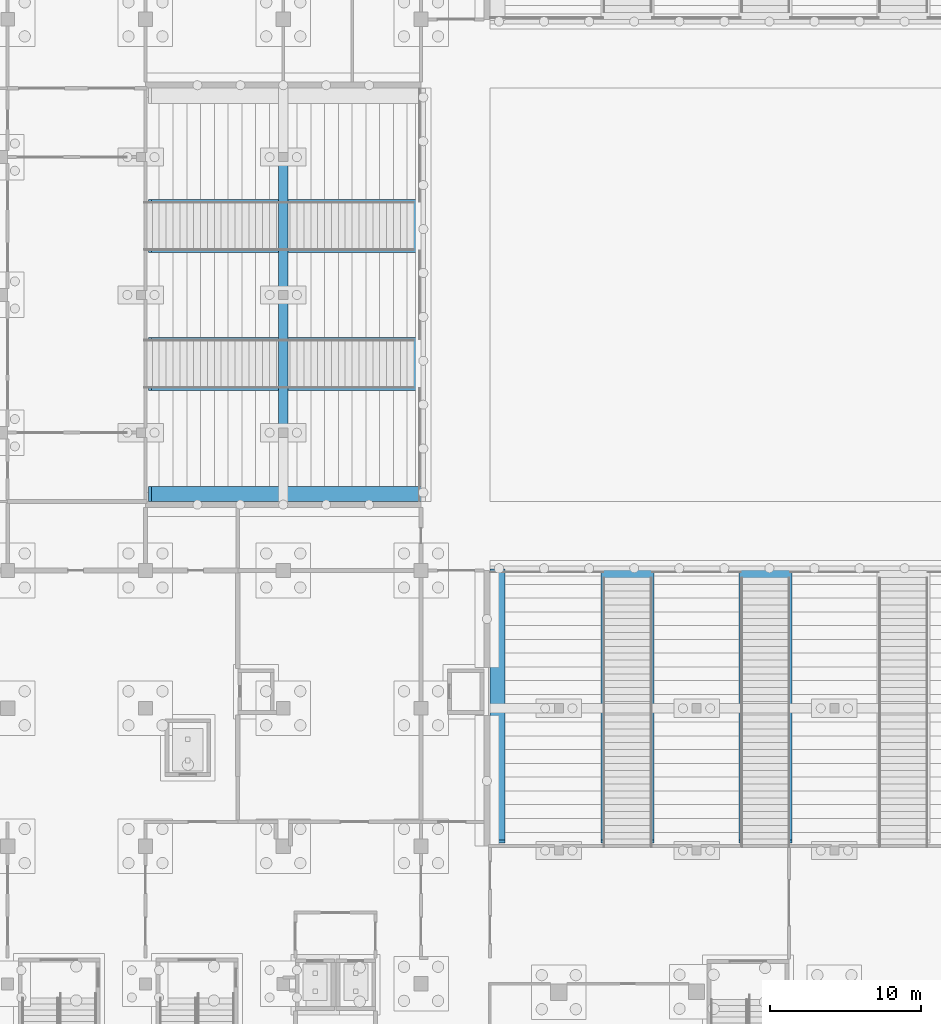
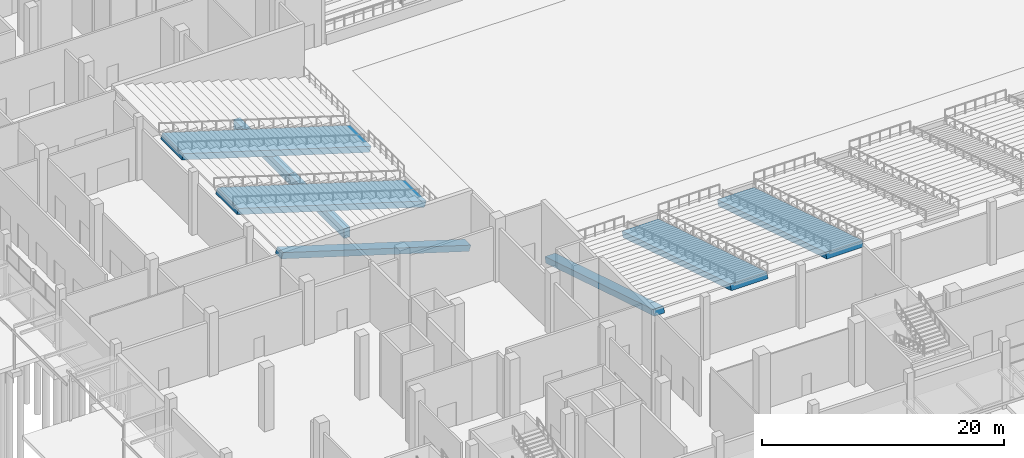
# One storey, part 50 of 129: 8 beams.
"""IFC4 building model written with IfcOpenShell, lengths in metres."""

from ifc_helpers import new_model, si_unit, direction, frame, origin, origin_2d, place, context, subcontext, project, spatial, rectangle, extrude, material, material_profile, profile_set, type_object, element, save


model = new_model("IFC4")

# Units and contexts
model_context = context("Model", 3, precision=1e-05, world=origin(), true_north=direction((0.0, 1.0)))
body_context = subcontext(model_context, "Body", "Model", "MODEL_VIEW")
ifc_project = project(units=[si_unit("LENGTHUNIT", "METRE"), si_unit("AREAUNIT", "SQUARE_METRE"), si_unit("VOLUMEUNIT", "CUBIC_METRE"), si_unit("PLANEANGLEUNIT", "RADIAN"), si_unit("MASSUNIT", "GRAM", prefix="KILO")], contexts=[model_context])

# Site, building, storey
site_placement = place(None, origin())
site = spatial("IfcSite", under=ifc_project, at=site_placement, CompositionType="ELEMENT")
building_placement = place(site_placement, origin())
building = spatial("IfcBuilding", under=site, at=building_placement, Name="Shirokan Park Arena", CompositionType="ELEMENT")
storey_placement = place(building_placement, origin())
storey = spatial("IfcBuildingStorey", under=building, at=storey_placement, Name="L00", CompositionType="ELEMENT", Elevation=0.0)

# Beams
ifc_material = material(Name="Concrete C35", Category="concrete")
ifc_material_profile_1 = material_profile(ifc_material, rectangle(XDim=1.0, YDim=0.60009765625, at=origin_2d()), Name="1000x600")
ifc_profile_set_1 = profile_set([ifc_material_profile_1], Name="Concrete C35")
beam_type_1 = type_object("IfcBeamType", Name="RC end raker 1000x600", PredefinedType="USERDEFINED", material=ifc_profile_set_1)
for number, where, z_axis, x_axis, name in (
    (1, (41.449951171875, 36.39990234375, 0.246826171875), (0.0, -0.95577675381, 0.2940931772), (1.0, 0.0, 0.0), "End raker lower S 1"),
    (2, (36.39990234375, 41.449951171875, 0.246826171875), (-0.95577675381, 0.0, 0.2940931772), (0.0, -1.0, 0.0), "End raker lower W 1"),
):
    element("IfcBeam", number, at=place(storey_placement, frame(where, z_axis=z_axis, x_axis=x_axis)), inside=storey, type_object=beam_type_1, Name=name, ObjectType="END RAKER BEAM", PredefinedType="USERDEFINED", context=body_context, shape_type="SweptSolid", body=[
        extrude(rectangle(XDim=1.0, YDim=0.60009765625, at=origin_2d()), origin(), (0.0, 0.0, 1.0), 18.72802734375),
    ])
ifc_material_profile_2 = material_profile(ifc_material, rectangle(XDim=3.5, YDim=0.60009765625, at=origin_2d()), Name="3500x600")
ifc_profile_set_2 = profile_set([ifc_material_profile_2], Name="Concrete C35")
beam_type_2 = type_object("IfcBeamType", Name="RC raker 3500x600", PredefinedType="USERDEFINED", material=ifc_profile_set_2)
for number, where, z_axis, x_axis, name in (
    (3, (50.050048828125, 36.39990234375, 0.246826171875), (0.0, -0.95577675381, 0.2940931772), (1.0, 0.0, 0.0), "Raker lower S 1"),
    (4, (59.14990234375, 36.39990234375, 0.246826171875), (0.0, -0.95577675381, 0.2940931772), (1.0, 0.0, 0.0), "Raker lower S 2"),
    (5, (36.39990234375, 50.050048828125, 0.246826171875), (-0.95577675381, 0.0, 0.2940931772), (0.0, -1.0, 0.0), "Raker lower W 1"),
    (6, (36.39990234375, 59.14990234375, 0.246826171875), (-0.95577675381, 0.0, 0.2940931772), (0.0, -1.0, 0.0), "Raker lower W 2"),
):
    element("IfcBeam", number, at=place(storey_placement, frame(where, z_axis=z_axis, x_axis=x_axis)), inside=storey, type_object=beam_type_2, Name=name, ObjectType="RAKER BEAM", PredefinedType="USERDEFINED", context=body_context, shape_type="SweptSolid", body=[
        extrude(rectangle(XDim=3.5, YDim=0.60009765625, at=origin_2d()), origin(), (0.0, 0.0, 1.0), 18.72802734375),
    ])
ifc_material_profile_3 = material_profile(ifc_material, rectangle(XDim=0.60009765625, YDim=1.0, at=origin_2d()), Name="600x1000")
ifc_profile_set_3 = profile_set([ifc_material_profile_3], Name="Concrete C35")
beam_type_3 = type_object("IfcBeamType", Name="RC stand girder 600x1000", PredefinedType="BEAM", material=ifc_profile_set_3)
beam_1_placement = place(storey_placement, frame((27.300048828125, 45.5, 2.23291015625), z_axis=(0.0, 1.0, 0.0), x_axis=(-1.0, 0.0, 0.0)))
element("IfcBeam", 7, at=beam_1_placement, inside=storey, type_object=beam_type_3, Name="Stand girder W R2 2", PredefinedType="BEAM", context=body_context, shape_type="SweptSolid", body=[
    extrude(rectangle(XDim=0.60009765625, YDim=1.0, at=origin_2d()), origin(), (0.0, 0.0, 1.0), 9.10009765625),
])
beam_2_placement = place(storey_placement, frame((27.300048828125, 54.60009765625, 2.23291015625), z_axis=(0.0, 1.0, 0.0), x_axis=(-1.0, 0.0, 0.0)))
element("IfcBeam", 8, at=beam_2_placement, inside=storey, type_object=beam_type_3, Name="Stand girder W R2 3", PredefinedType="BEAM", context=body_context, shape_type="SweptSolid", body=[
    extrude(rectangle(XDim=0.60009765625, YDim=1.0, at=origin_2d()), origin(), (0.0, 0.0, 1.0), 9.099853515625),
])

save(model, "model.ifc")
